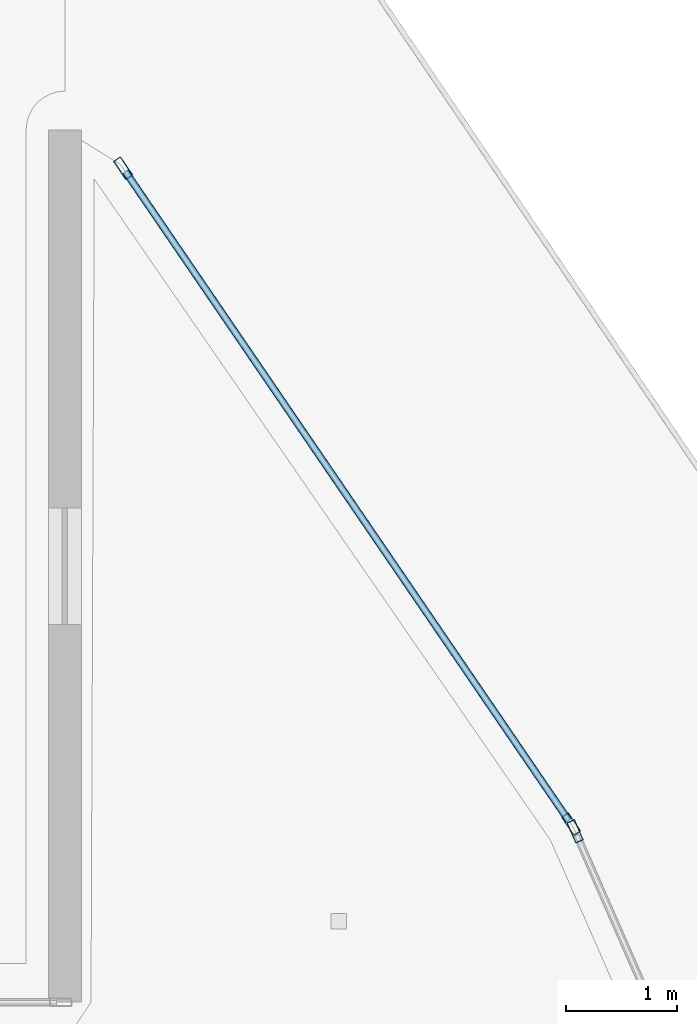
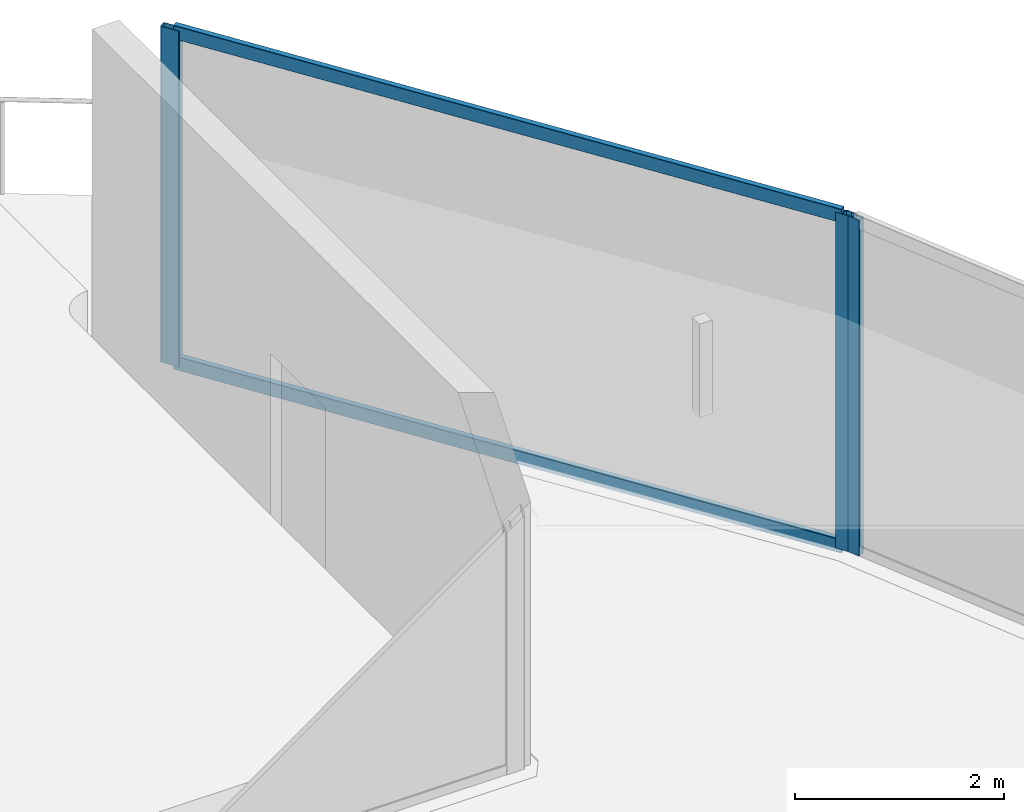
# One storey, part 23 of 44: 5 members, 2 elements without a shape of their own.
"""IFC4 building model written with IfcOpenShell, lengths in metres."""

import ifcopenshell
import ifcopenshell.guid

model = None  # the IFC model being written
_history = None  # IfcOwnerHistory: only IFC2X3 demands one
_inside = {}  # id of a spatial element -> (the spatial element, [elements in it])
_under = {}  # id of a project, library or spatial element -> (it, [spatial elements below it])
_declared = {}  # id of a project -> (the project, [libraries it declares])
_typed = {}  # id of a type object -> (the type object, [elements of that type])
_made_of = {}  # id of a material, layer set ... -> (it, [elements and type objects made of it])


def new_model(schema):
    """Start an empty IFC model of exactly this schema.

    Asked for "IFC4X3", IfcOpenShell would pick the latest addendum, in which some entities
    have other attributes; the version numbers below select the first issue.
    IFC2X3 requires an IfcOwnerHistory on every rooted entity: one is made here for all.
    """
    global model, _history
    if schema == "IFC4X3":
        model = ifcopenshell.file(schema_version=(4, 3, 0, 0))
    else:
        model = ifcopenshell.file(schema=schema)
    _inside.clear()
    _under.clear()
    _declared.clear()
    _typed.clear()
    _made_of.clear()
    _history = None
    if model.schema == "IFC2X3":
        org = make("IfcOrganization", Name="unknown")
        user = make(
            "IfcPersonAndOrganization",
            ThePerson=make("IfcPerson", FamilyName="unknown"),
            TheOrganization=org,
        )
        app = make(
            "IfcApplication",
            ApplicationDeveloper=org,
            Version="unknown",
            ApplicationFullName="unknown",
            ApplicationIdentifier="unknown",
        )
        _history = make(
            "IfcOwnerHistory",
            OwningUser=user,
            OwningApplication=app,
            ChangeAction="ADDED",
            CreationDate=0,
        )
    return model


def make(cls, **values):
    """One entity of the class cls with the attributes given. An attribute that is None is left unset."""
    return model.create_entity(
        cls, **{name: value for name, value in values.items() if value is not None}
    )


def rooted(cls, **values):
    """An entity with a GlobalId (a new one), such as an element, a storey or a relation."""
    return make(cls, GlobalId=ifcopenshell.guid.new(), OwnerHistory=_history, **values)


def si_unit(unit_type, name, prefix=None):
    """IfcSIUnit, for example si_unit("LENGTHUNIT", "METRE", prefix="MILLI")."""
    return make("IfcSIUnit", UnitType=unit_type, Prefix=prefix, Name=name)


def assignment(units):
    """IfcUnitAssignment: the units of a project."""
    return None if units is None else make("IfcUnitAssignment", Units=units)


def point(xyz):
    """IfcCartesianPoint."""
    return None if xyz is None else make("IfcCartesianPoint", Coordinates=xyz)


def direction(xyz):
    """IfcDirection."""
    return None if xyz is None else make("IfcDirection", DirectionRatios=xyz)


def frame(location, z_axis=None, x_axis=None):
    """IfcAxis2Placement3D, a coordinate frame: its origin and axes. An axis left out is left unset."""
    return make(
        "IfcAxis2Placement3D",
        Location=point(location),
        Axis=direction(z_axis),
        RefDirection=direction(x_axis),
    )


def frame_2d(location, x_axis=None):
    """IfcAxis2Placement2D, a coordinate frame in the plane: its origin and x axis."""
    return make(
        "IfcAxis2Placement2D", Location=point(location), RefDirection=direction(x_axis)
    )


def origin():
    """The frame at (0, 0, 0) with its axes left unset."""
    return frame((0.0, 0.0, 0.0))


def origin_2d():
    """The frame at (0, 0) in the plane with its x axis left unset."""
    return frame_2d((0.0, 0.0))


def place(relative_to, where):
    """IfcLocalPlacement: puts the frame where relative to a parent placement (None: the world)."""
    return make(
        "IfcLocalPlacement", PlacementRelTo=relative_to, RelativePlacement=where
    )


def context(
    kind, dimensions, precision=None, world=None, true_north=None, identifier=None
):
    """IfcGeometricRepresentationContext, for example the 3D "Model" context."""
    return make(
        "IfcGeometricRepresentationContext",
        ContextIdentifier=identifier,
        ContextType=kind,
        CoordinateSpaceDimension=dimensions,
        Precision=precision,
        WorldCoordinateSystem=world,
        TrueNorth=true_north,
    )


def subcontext(parent, identifier, kind, view, scale=None):
    """IfcGeometricRepresentationSubContext, for example "Body" below "Model"."""
    return make(
        "IfcGeometricRepresentationSubContext",
        ContextIdentifier=identifier,
        ContextType=kind,
        ParentContext=parent,
        TargetScale=scale,
        TargetView=view,
    )


def project(units=None, contexts=None):
    """IfcProject with its units and contexts."""
    return rooted(
        "IfcProject",
        Name="project",
        RepresentationContexts=contexts,
        UnitsInContext=assignment(units),
    )


def spatial(cls, under=None, at=None, **own):
    """A site, building, storey or space (cls), placed at a placement, below another one or the project."""
    s = rooted(cls, ObjectPlacement=at, **own)
    if under is not None:
        _under.setdefault(under.id(), (under, []))[1].append(s)
    return s


def profile(cls, at=None, kind="AREA", **sizes):
    """A parametric profile (cls). Its sizes go by their IFC names, for example OverallWidth=200.0."""
    return make(cls, ProfileType=kind, Position=at, **sizes)


def hollow_rectangle(**sizes):
    """IfcRectangleHollowProfileDef."""
    return profile("IfcRectangleHollowProfileDef", **sizes)


def extrude(swept, where, along, depth):
    """IfcExtrudedAreaSolid: the profile swept, set in the frame where, extruded along a direction by depth."""
    return make(
        "IfcExtrudedAreaSolid",
        SweptArea=swept,
        Position=where,
        ExtrudedDirection=direction(along),
        Depth=depth,
    )


def shape(context_of_items, identifier, shape_type, items):
    """IfcShapeRepresentation: the items that make up one representation, for example the "Body"."""
    return make(
        "IfcShapeRepresentation",
        ContextOfItems=context_of_items,
        RepresentationIdentifier=identifier,
        RepresentationType=shape_type,
        Items=items,
    )


def material(Name=None, Category=None):
    """IfcMaterial."""
    return make("IfcMaterial", Name=Name, Category=Category)


def layer(
    of_material, thickness, ventilated=None, Name=None, Category=None, Priority=None
):
    """IfcMaterialLayer: one layer of a wall or slab, of a material (None: an air gap)."""
    return make(
        "IfcMaterialLayer",
        Material=of_material,
        LayerThickness=thickness,
        IsVentilated=ventilated,
        Name=Name,
        Category=Category,
        Priority=Priority,
    )


def layer_set(layers, Name=None):
    """IfcMaterialLayerSet."""
    return make("IfcMaterialLayerSet", MaterialLayers=layers, LayerSetName=Name)


def material_profile(
    of_material, cross_section, Name=None, Category=None, Priority=None
):
    """IfcMaterialProfile: a cross section and its material."""
    return make(
        "IfcMaterialProfile",
        Name=Name,
        Material=of_material,
        Profile=cross_section,
        Priority=Priority,
        Category=Category,
    )


def profile_set(profiles, Name=None, composite=None):
    """IfcMaterialProfileSet."""
    return make(
        "IfcMaterialProfileSet",
        Name=Name,
        MaterialProfiles=profiles,
        CompositeProfile=composite,
    )


def made_of(thing, what):
    """Note that an element or type object is made of a material, layer set ...; save() writes the relation."""
    if what is not None:
        _made_of.setdefault(what.id(), (what, []))[1].append(thing)
    return thing


def type_object(cls, material=None, **own):
    """A type object (cls), such as IfcWallType, which elements share."""
    return made_of(rooted(cls, **own), material)


def element(
    cls,
    number,
    at=None,
    inside=None,
    cuts=None,
    type_object=None,
    material=None,
    context=None,
    identifier="Body",
    shape_type=None,
    held_by="IfcProductDefinitionShape",
    body=None,
    shapes=None,
    **own,
):
    """One element of the class cls, such as IfcWall. Its Tag is "e" and its number.

    at: its placement. inside: the storey or other place that contains it. cuts: it is an
    opening in that element (IfcRelVoidsElement). A single representation is given by context,
    identifier, shape_type and body (its items); several are given by shapes. held_by: the class
    of the entity that holds the representations. save() writes the other relations.
    """
    e = rooted(cls, Tag="e%d" % number, ObjectPlacement=at, **own)
    if body is not None:
        shapes = [shape(context, identifier, shape_type, body)]
    if shapes is not None:
        e.Representation = make(held_by, Representations=shapes)
    if inside is not None:
        _inside.setdefault(inside.id(), (inside, []))[1].append(e)
    if cuts is not None:
        rooted(
            "IfcRelVoidsElement", RelatingBuildingElement=cuts, RelatedOpeningElement=e
        )
    if type_object is not None:
        _typed.setdefault(type_object.id(), (type_object, []))[1].append(e)
    return made_of(e, material)


def aggregate(whole, parts):
    """IfcRelAggregates: a whole, such as a stair, and the parts it consists of."""
    return rooted("IfcRelAggregates", RelatingObject=whole, RelatedObjects=parts)


def save(model, path):
    """Write the relations noted so far, then the file.

    IfcRelAggregates (storeys below a building ...), IfcRelContainedInSpatialStructure (elements
    in a storey), IfcRelDefinesByType, IfcRelAssociatesMaterial and IfcRelDeclares: one each for
    every whole, place, type object, material and project.
    """
    for whole, parts in _under.values():
        aggregate(whole, parts)
    for where, things in _inside.values():
        rooted(
            "IfcRelContainedInSpatialStructure",
            RelatedElements=things,
            RelatingStructure=where,
        )
    for kind, things in _typed.values():
        rooted("IfcRelDefinesByType", RelatedObjects=things, RelatingType=kind)
    for what, things in _made_of.values():
        rooted("IfcRelAssociatesMaterial", RelatedObjects=things, RelatingMaterial=what)
    for by, libraries in _declared.values():
        rooted("IfcRelDeclares", RelatingContext=by, RelatedDefinitions=libraries)
    model.write(path)


model = new_model("IFC4")

# Units and contexts
model_context = context("Model", 3, precision=1e-05, world=origin(), true_north=direction((0.0, 1.0)))
body_context = subcontext(model_context, "Body", "Model", "MODEL_VIEW")
ifc_project = project(units=[si_unit("LENGTHUNIT", "METRE"), si_unit("AREAUNIT", "SQUARE_METRE"), si_unit("VOLUMEUNIT", "CUBIC_METRE"), si_unit("PLANEANGLEUNIT", "RADIAN"), si_unit("MASSUNIT", "GRAM", prefix="KILO")], contexts=[model_context])

# Site, building, storey
site_placement = place(None, origin())
site = spatial("IfcSite", under=ifc_project, at=site_placement, CompositionType="ELEMENT")
building_placement = place(site_placement, origin())
building = spatial("IfcBuilding", under=site, at=building_placement, Name="Qorvath Tower", CompositionType="ELEMENT")
storey_placement = place(building_placement, frame((0.0, 0.0, 78.60009765625)))
storey = spatial("IfcBuildingStorey", under=building, at=storey_placement, Name="L17", CompositionType="ELEMENT", Elevation=78.60009765625)

# Curtain wall, member
ifc_material_1 = material(Name="Anodised aluminium and triple low-E glass", Category="aluminium")
ifc_layer = layer(ifc_material_1, 0.179931640625)
ifc_layer_set = layer_set([ifc_layer], Name="CW-SYS-5")
curtain_wall_type = type_object("IfcCurtainWallType", Name="CW-SYS-5", PredefinedType="NOTDEFINED", material=ifc_layer_set)
curtain_wall_1_placement = place(storey_placement, origin())
curtain_wall_1 = element("IfcCurtainWall", 1, at=curtain_wall_1_placement, inside=storey, type_object=curtain_wall_type, Name="Curtain Wall CW-5 CW-T-L17-16.1", PredefinedType="NOTDEFINED")
ifc_material_2 = material(Name="Anodised aluminium 6063-T6", Category="aluminium")
ifc_material_profile_1 = material_profile(ifc_material_2, hollow_rectangle(XDim=0.074951171875, YDim=0.199951171875, WallThickness=0.00390625, InnerFilletRadius=0.00390625, OuterFilletRadius=0.008056640625, at=origin_2d()), Name="CWM 200x75")
ifc_profile_set_1 = profile_set([ifc_material_profile_1], Name="Anodised aluminium 6063-T6")
member_type_1 = type_object("IfcMemberType", Name="CWM-200", PredefinedType="MULLION", material=ifc_profile_set_1)
member_1_placement = place(storey_placement, frame((1.637939453125, 18.820556640625, 0.0), z_axis=(0.0, 0.0, 1.0), x_axis=(-0.915913444211, -0.401375837231, 0.0)))
member_1 = element("IfcMember", 2, at=member_1_placement, type_object=member_type_1, Name="CW-5 mullion 2", PredefinedType="MULLION", context=body_context, shape_type="SweptSolid", body=[
    extrude(hollow_rectangle(XDim=0.074951171875, YDim=0.199951171875, WallThickness=0.00390625, InnerFilletRadius=0.00390625, OuterFilletRadius=0.008056640625, at=origin_2d()), origin(), (0.0, 0.0, 1.0), 3.919921875),
])
aggregate(curtain_wall_1, [member_1])

# Curtain wall, members
curtain_wall_2_placement = place(storey_placement, origin())
curtain_wall_2 = element("IfcCurtainWall", 3, at=curtain_wall_2_placement, inside=storey, type_object=curtain_wall_type, Name="Curtain Wall CW-5 CW-T-L17-17.1", PredefinedType="NOTDEFINED")
member_2_placement = place(storey_placement, frame((1.6015625, 18.885986328125, 0.0), z_axis=(0.0, 0.0, 1.0), x_axis=(-0.825776009163, -0.563998211602, 0.0)))
member_2 = element("IfcMember", 4, at=member_2_placement, type_object=member_type_1, Name="CW-5 mullion 1", PredefinedType="MULLION", context=body_context, shape_type="SweptSolid", body=[
    extrude(hollow_rectangle(XDim=0.074951171875, YDim=0.199951171875, WallThickness=0.00390625, InnerFilletRadius=0.00390625, OuterFilletRadius=0.008056640625, at=origin_2d()), origin(), (0.0, 0.0, 1.0), 3.919921875),
])
member_3_placement = place(storey_placement, frame((-2.43505859375, 24.79638671875, 0.0), z_axis=(0.0, 0.0, 1.0), x_axis=(-0.825776009163, -0.563998211602, 0.0)))
member_3 = element("IfcMember", 5, at=member_3_placement, type_object=member_type_1, Name="CW-5 mullion 2", PredefinedType="MULLION", context=body_context, shape_type="SweptSolid", body=[
    extrude(hollow_rectangle(XDim=0.074951171875, YDim=0.199951171875, WallThickness=0.00390625, InnerFilletRadius=0.00390625, OuterFilletRadius=0.008056640625, at=origin_2d()), origin(), (0.0, 0.0, 1.0), 3.919921875),
])
ifc_material_3 = material(Name="Anodised aluminium 6063-T6", Category="aluminium")
ifc_material_profile_2 = material_profile(ifc_material_3, hollow_rectangle(XDim=0.06494140625, YDim=0.159912109375, WallThickness=0.00341796875, InnerFilletRadius=0.00341796875, OuterFilletRadius=0.007080078125, at=origin_2d()), Name="CWT 160x65")
ifc_profile_set_2 = profile_set([ifc_material_profile_2], Name="Anodised aluminium 6063-T6")
member_type_2 = type_object("IfcMemberType", Name="CWT-160", PredefinedType="USERDEFINED", material=ifc_profile_set_2)
member_4_placement = place(storey_placement, frame((1.58056640625, 18.9169921875, 0.032470703125), z_axis=(-0.564020127161, 0.825761040591, 0.0), x_axis=(-0.825761040591, -0.564020127161, 0.0)))
member_4 = element("IfcMember", 6, at=member_4_placement, type_object=member_type_2, Name="CW-5 transom 1.1", ObjectType="TRANSOM", PredefinedType="USERDEFINED", context=body_context, shape_type="SweptSolid", body=[
    extrude(hollow_rectangle(XDim=0.06494140625, YDim=0.159912109375, WallThickness=0.00341796875, InnerFilletRadius=0.00341796875, OuterFilletRadius=0.007080078125, at=origin_2d()), origin(), (0.0, 0.0, 1.0), 7.08251953125),
])
member_5_placement = place(storey_placement, frame((1.58056640625, 18.9169921875, 3.887451171875), z_axis=(-0.564020127161, 0.825761040591, 0.0), x_axis=(-0.825761040591, -0.564020127161, 0.0)))
member_5 = element("IfcMember", 7, at=member_5_placement, type_object=member_type_2, Name="CW-5 transom 1.2", ObjectType="TRANSOM", PredefinedType="USERDEFINED", context=body_context, shape_type="SweptSolid", body=[
    extrude(hollow_rectangle(XDim=0.06494140625, YDim=0.159912109375, WallThickness=0.00341796875, InnerFilletRadius=0.00341796875, OuterFilletRadius=0.007080078125, at=origin_2d()), origin(), (0.0, 0.0, 1.0), 7.08251953125),
])
aggregate(curtain_wall_2, [member_2, member_3, member_4, member_5])

save(model, "model.ifc")
